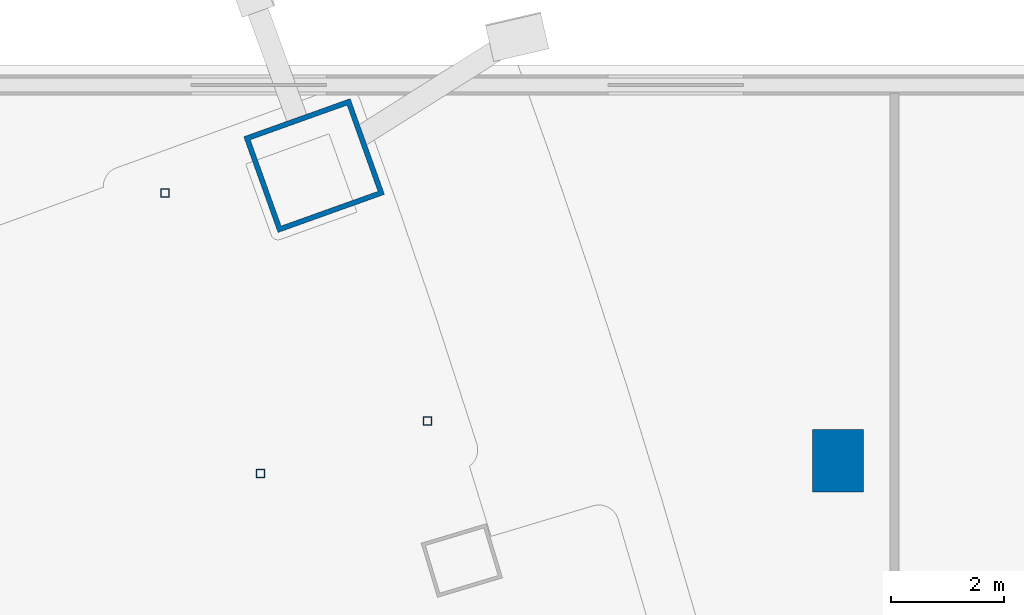
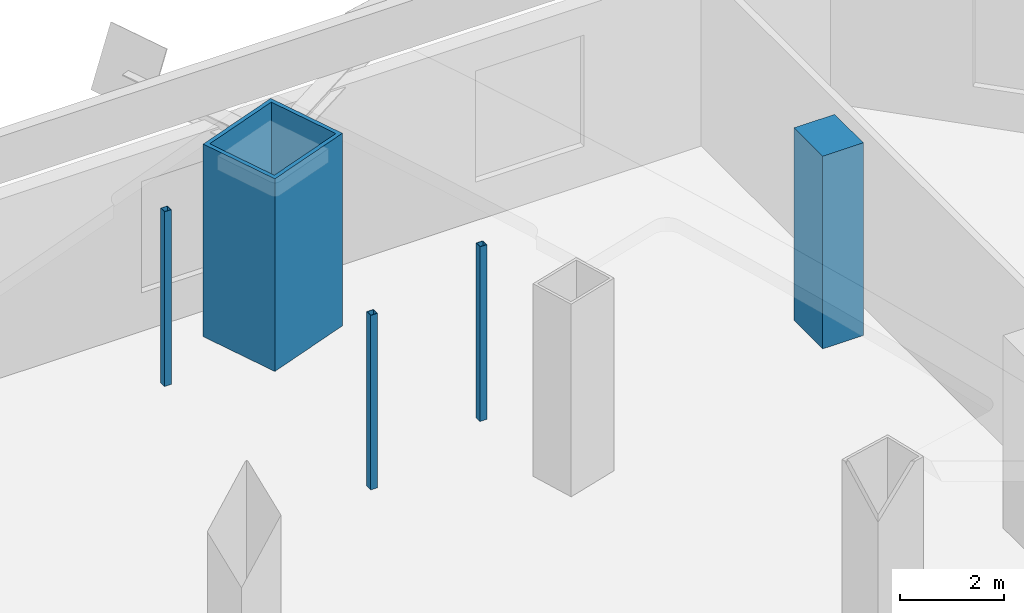
# One storey, part 8 of 19: 5 columns.
"""IFC4 building model written with IfcOpenShell, lengths in metres."""

from ifc_helpers import new_model, si_unit, direction, frame, origin, origin_2d, place, context, subcontext, project, spatial, rectangle, hollow_rectangle, extrude, material, material_profile, profile_set, type_object, element, save


model = new_model("IFC4")

# Units and contexts
model_context = context("Model", 3, precision=1e-05, world=origin(), true_north=direction((0.0, 1.0)))
body_context = subcontext(model_context, "Body", "Model", "MODEL_VIEW")
ifc_project = project(units=[si_unit("LENGTHUNIT", "METRE"), si_unit("AREAUNIT", "SQUARE_METRE"), si_unit("VOLUMEUNIT", "CUBIC_METRE"), si_unit("PLANEANGLEUNIT", "RADIAN"), si_unit("MASSUNIT", "GRAM", prefix="KILO")], contexts=[model_context])

# Site, building, storey
site_placement = place(None, origin())
site = spatial("IfcSite", under=ifc_project, at=site_placement, CompositionType="ELEMENT")
building_placement = place(site_placement, origin())
building = spatial("IfcBuilding", under=site, at=building_placement, Name="Alderwake Tower", CompositionType="ELEMENT")
storey_placement = place(building_placement, frame((0.0, 0.0, 27.5)))
storey = spatial("IfcBuildingStorey", under=building, at=storey_placement, Name="L05", CompositionType="ELEMENT", Elevation=27.5)

# Columns
ifc_material_1 = material(Name="Steel ASTM A500 Grade C", Category="steel")
ifc_material_profile_1 = material_profile(ifc_material_1, hollow_rectangle(XDim=0.15234375, YDim=0.15234375, WallThickness=0.0087890625, at=origin_2d()), Name="HSS6X6X3/8")
ifc_profile_set_1 = profile_set([ifc_material_profile_1], Name="Steel ASTM A500 Grade C")
column_type_1 = type_object("IfcColumnType", Name="Light post HSS6X6X3/8", PredefinedType="COLUMN", material=ifc_profile_set_1)
for number, where, z_axis, x_axis, name in (
    (1, (56.734375, 104.70703125, 0.0), (0.0, 0.0, 1.0), (1.0, 0.0, 0.0), "Terrace post FN1"),
    (2, (52.08837890625, 108.737060546875, 0.0), (0.0, 0.0, 1.0), (1.0, 0.0, 0.0), "Terrace post FN2"),
    (3, (53.778564453125, 103.7724609375, 0.0), (0.0, 0.0, 1.0), (1.0, 0.0, 0.0), "Terrace post FN3"),
):
    element("IfcColumn", number, at=place(storey_placement, frame(where, z_axis=z_axis, x_axis=x_axis)), inside=storey, type_object=column_type_1, Name=name, PredefinedType="COLUMN", context=body_context, shape_type="SweptSolid", body=[
        extrude(hollow_rectangle(XDim=0.15234375, YDim=0.15234375, WallThickness=0.0087890625, at=origin_2d()), origin(), (0.0, 0.0, 1.0), 4.080078125),
    ])
ifc_material_2 = material(Name="Steel ASTM A572 Grade 50 concrete filled C70/85", Category="concrete")
ifc_material_profile_2 = material_profile(ifc_material_2, hollow_rectangle(XDim=1.800048828125, YDim=2.0, WallThickness=0.090087890625, at=origin_2d()), Name="BOX 2000X1800X90")
ifc_profile_set_2 = profile_set([ifc_material_profile_2], Name="Steel ASTM A572 Grade 50 concrete filled C70/85")
column_type_2 = type_object("IfcColumnType", Name="Mega column Z1", PredefinedType="COLUMN", material=ifc_profile_set_2)
column_1_placement = place(storey_placement, frame((54.7294921875, 109.22412109375, 0.0), z_axis=(0.0, 0.0, 1.0), x_axis=(-0.336995022772, 0.941506428351, 0.0)))
element("IfcColumn", 4, at=column_1_placement, inside=storey, type_object=column_type_2, Name="Column R13-C5", PredefinedType="COLUMN", context=body_context, shape_type="SweptSolid", body=[
    extrude(hollow_rectangle(XDim=1.800048828125, YDim=2.0, WallThickness=0.090087890625, at=origin_2d()), origin(), (0.0, 0.0, 1.0), 4.5),
])
ifc_material_3 = material(Name="Concrete C70/85", Category="concrete")
ifc_material_profile_3 = material_profile(ifc_material_3, rectangle(XDim=0.89990234375, YDim=1.10009765625, at=origin_2d()), Name="RC 1100X900")
ifc_profile_set_3 = profile_set([ifc_material_profile_3], Name="Concrete C70/85")
column_type_3 = type_object("IfcColumnType", Name="Podium column", PredefinedType="COLUMN", material=ifc_profile_set_3)
column_2_placement = place(storey_placement, frame((64.0, 104.0, 0.0), z_axis=(0.0, 0.0, 1.0), x_axis=(1.0, 0.0, 0.0)))
element("IfcColumn", 5, at=column_2_placement, inside=storey, type_object=column_type_3, Name="Column X09-YN", PredefinedType="COLUMN", context=body_context, shape_type="SweptSolid", body=[
    extrude(rectangle(XDim=0.89990234375, YDim=1.10009765625, at=origin_2d()), origin(), (0.0, 0.0, 1.0), 4.5),
])

save(model, "model.ifc")
